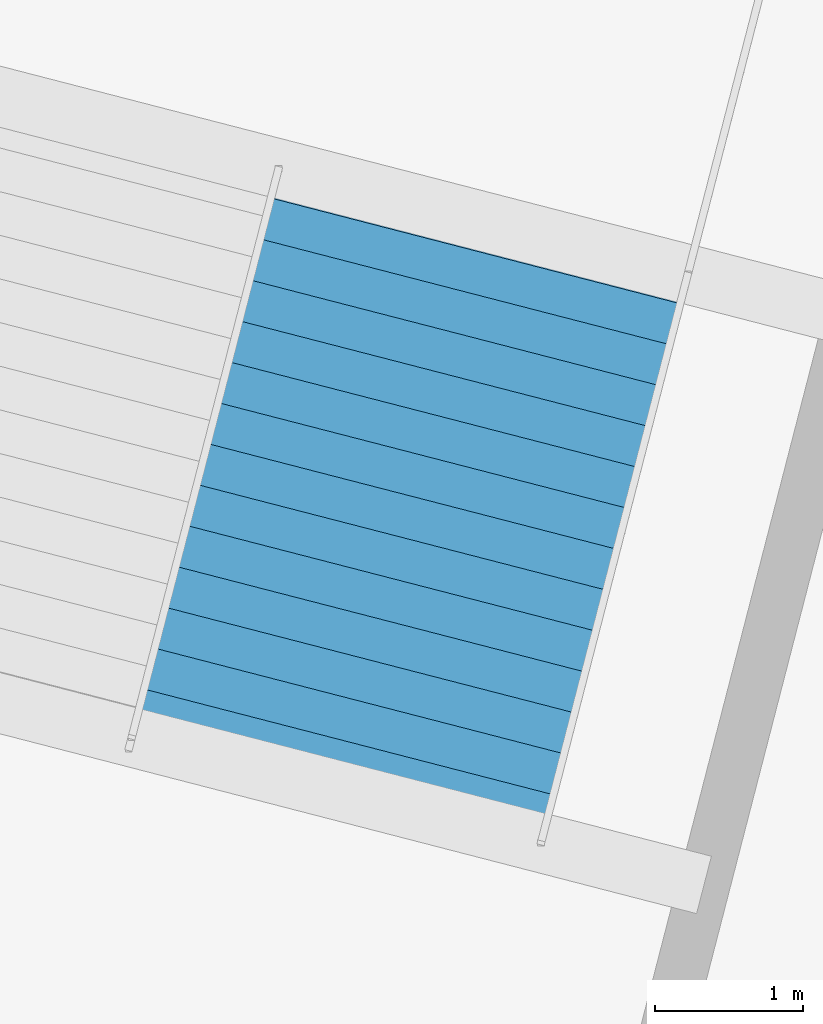
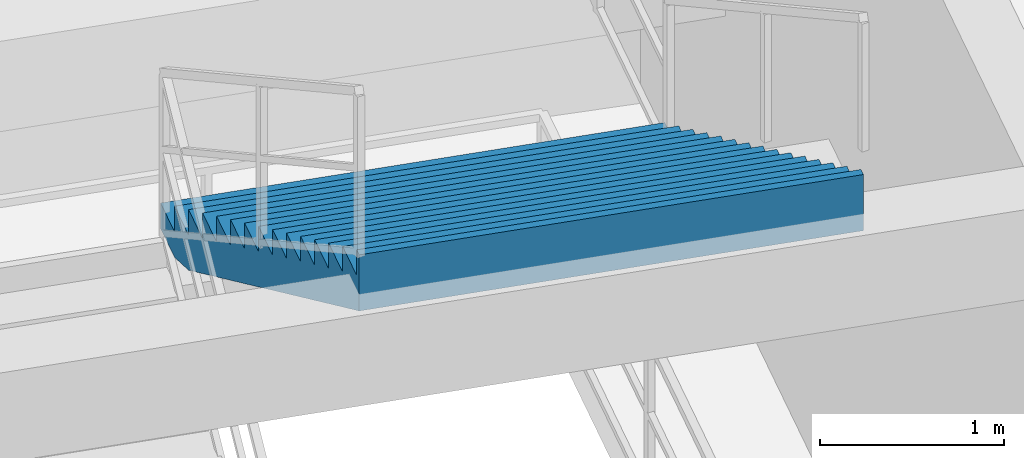
# One storey, part 164 of 184: 1 stair flight, 1 element without a shape of its own.
"""IFC4 building model written with IfcOpenShell, lengths in metres."""

from ifc_helpers import new_model, si_unit, direction, frame, origin, place, context, subcontext, project, spatial, polygons, material, type_object, element, aggregate, save


model = new_model("IFC4")

# Units and contexts
model_context = context("Model", 3, precision=1e-05, world=origin(), true_north=direction((0.0, 1.0)))
body_context = subcontext(model_context, "Body", "Model", "MODEL_VIEW")
ifc_project = project(units=[si_unit("LENGTHUNIT", "METRE"), si_unit("AREAUNIT", "SQUARE_METRE"), si_unit("VOLUMEUNIT", "CUBIC_METRE"), si_unit("PLANEANGLEUNIT", "RADIAN"), si_unit("MASSUNIT", "GRAM", prefix="KILO")], contexts=[model_context])

# Site, building, storey
site_placement = place(None, origin())
site = spatial("IfcSite", under=ifc_project, at=site_placement, CompositionType="ELEMENT")
building_placement = place(site_placement, origin())
building = spatial("IfcBuilding", under=site, at=building_placement, Name="Kazemori Nagisa Stadium", CompositionType="ELEMENT")
storey_placement = place(building_placement, frame((0.0, 0.0, 10.5400390625)))
storey = spatial("IfcBuildingStorey", under=building, at=storey_placement, Name="L02", CompositionType="ELEMENT", Elevation=10.5400390625)

# Stair, stair flight
ifc_material = material(Name="Concrete C36/45 (Fc36)", Category="concrete")
stair_type = type_object("IfcStairType", Name="Stair_CORE_30", PredefinedType="TWO_STRAIGHT_RUN_STAIR", material=ifc_material)
stair_placement = place(storey_placement, origin())
stair = element("IfcStair", 1, at=stair_placement, inside=storey, type_object=stair_type, Name="Exit stair ST10 L02", PredefinedType="TWO_STRAIGHT_RUN_STAIR")
stair_flight_type = type_object("IfcStairFlightType", Name="Flight_CORE_15", PredefinedType="STRAIGHT", material=ifc_material)
stair_flight_placement = place(storey_placement, frame((208.85791015625, 73.259521484375, 2.550048828125), z_axis=(0.0, 0.0, 1.0), x_axis=(-0.249957593895, -0.968256784771, 0.0)))
stair_flight = element("IfcStairFlight", 2, at=stair_flight_placement, type_object=stair_flight_type, Name="Exit stair ST10 L02 flight 2", NumberOfRisers=15, NumberOfTreads=14, PredefinedType="STRAIGHT", RiserHeight=0.17, TreadLength=0.285, context=body_context, shape_type="Tessellation", body=[
    polygons([(0.0, -1.425048828125, 0.0), (0.0, -1.425048828125, 0.169921875), (0.284912109375, -1.425048828125, 0.169921875), (0.284912109375, -1.425048828125, 0.340087890625), (0.570068359375, -1.425048828125, 0.340087890625), (0.570068359375, -1.425048828125, 0.510009765625), (0.85498046875, -1.425048828125, 0.510009765625), (0.85498046875, -1.425048828125, 0.679931640625), (1.139892578125, -1.425048828125, 0.679931640625), (1.139892578125, -1.425048828125, 0.85009765625), (1.425048828125, -1.425048828125, 0.85009765625), (1.425048828125, -1.425048828125, 1.02001953125), (1.7099609375, -1.425048828125, 1.02001953125), (1.7099609375, -1.425048828125, 1.18994140625), (1.9951171875, -1.425048828125, 1.18994140625), (1.9951171875, -1.425048828125, 1.360107421875), (2.280029296875, -1.425048828125, 1.360107421875), (2.280029296875, -1.425048828125, 1.530029296875), (2.56494140625, -1.425048828125, 1.530029296875), (2.56494140625, -1.425048828125, 1.699951171875), (2.85009765625, -1.425048828125, 1.699951171875), (2.85009765625, -1.425048828125, 1.8701171875), (3.135009765625, -1.425048828125, 1.8701171875), (3.135009765625, -1.425048828125, 2.0400390625), (3.419921875, -1.425048828125, 2.0400390625), (3.419921875, -1.425048828125, 2.2099609375), (3.705078125, -1.425048828125, 2.2099609375), (3.705078125, -1.425048828125, 2.3798828125), (3.989990234375, -1.425048828125, 2.3798828125), (3.989990234375, -1.425048828125, 2.550048828125), (4.0400390625, -1.425048828125, 2.550048828125), (4.0400390625, -1.425048828125, 2.177001953125), (3.989990234375, -1.425048828125, 2.147216796875), (3.705078125, -1.425048828125, 1.977294921875), (3.419921875, -1.425048828125, 1.80712890625), (3.135009765625, -1.425048828125, 1.63720703125), (2.85009765625, -1.425048828125, 1.46728515625), (2.56494140625, -1.425048828125, 1.297119140625), (2.280029296875, -1.425048828125, 1.127197265625), (1.9951171875, -1.425048828125, 0.957275390625), (1.7099609375, -1.425048828125, 0.787109375), (1.425048828125, -1.425048828125, 0.6171875), (1.139892578125, -1.425048828125, 0.447265625), (0.85498046875, -1.425048828125, 0.277099609375), (0.570068359375, -1.425048828125, 0.107177734375), (0.284912109375, -1.425048828125, 0.0), (0.0, -0.08544921875, 0.0), (0.0, -0.08544921875, 0.169921875), (0.284912109375, -0.08544921875, 0.169921875), (0.284912109375, -0.08544921875, 0.340087890625), (0.570068359375, -0.08544921875, 0.340087890625), (0.570068359375, -0.08544921875, 0.510009765625), (0.85498046875, -0.08544921875, 0.510009765625), (0.85498046875, -0.08544921875, 0.679931640625), (1.139892578125, -0.08544921875, 0.679931640625), (1.139892578125, -0.08544921875, 0.85009765625), (1.425048828125, -0.08544921875, 0.85009765625), (1.425048828125, -0.08544921875, 1.02001953125), (1.7099609375, -0.08544921875, 1.02001953125), (1.7099609375, -0.08544921875, 1.18994140625), (1.9951171875, -0.08544921875, 1.18994140625), (1.9951171875, -0.08544921875, 1.360107421875), (2.280029296875, -0.08544921875, 1.360107421875), (2.280029296875, -0.08544921875, 1.530029296875), (2.56494140625, -0.08544921875, 1.530029296875), (2.56494140625, -0.08544921875, 1.699951171875), (2.85009765625, -0.08544921875, 1.699951171875), (2.85009765625, -0.08544921875, 1.8701171875), (3.135009765625, -0.08544921875, 1.8701171875), (3.135009765625, -0.08544921875, 2.0400390625), (3.419921875, -0.08544921875, 2.0400390625), (3.419921875, -0.08544921875, 2.2099609375), (3.705078125, -0.08544921875, 2.2099609375), (3.705078125, -0.08544921875, 2.3798828125), (3.989990234375, -0.08544921875, 2.3798828125), (3.989990234375, -0.08544921875, 2.550048828125), (4.0400390625, -0.08544921875, 2.550048828125), (4.0400390625, -0.08544921875, 2.177001953125), (3.989990234375, -0.08544921875, 2.147216796875), (3.705078125, -0.08544921875, 1.977294921875), (3.419921875, -0.08544921875, 1.80712890625), (3.135009765625, -0.08544921875, 1.63720703125), (2.85009765625, -0.08544921875, 1.46728515625), (2.56494140625, -0.08544921875, 1.297119140625), (2.280029296875, -0.08544921875, 1.127197265625), (1.9951171875, -0.08544921875, 0.957275390625), (1.7099609375, -0.08544921875, 0.787109375), (1.425048828125, -0.08544921875, 0.6171875), (1.139892578125, -0.08544921875, 0.447265625), (0.85498046875, -0.08544921875, 0.277099609375), (0.570068359375, -0.08544921875, 0.107177734375), (0.284912109375, -0.08544921875, 0.0), (0.0, 0.0, 0.0), (0.0, 0.0, 0.169921875), (0.284912109375, 0.0, 0.169921875), (0.284912109375, 0.0, 0.340087890625), (0.570068359375, 0.0, 0.340087890625), (0.570068359375, 0.0, 0.510009765625), (0.85498046875, 0.0, 0.510009765625), (0.85498046875, 0.0, 0.679931640625), (1.139892578125, 0.0, 0.679931640625), (1.139892578125, 0.0, 0.85009765625), (1.425048828125, 0.0, 0.85009765625), (1.425048828125, 0.0, 1.02001953125), (1.7099609375, 0.0, 1.02001953125), (1.7099609375, 0.0, 1.18994140625), (1.9951171875, 0.0, 1.18994140625), (1.9951171875, 0.0, 1.360107421875), (2.280029296875, 0.0, 1.360107421875), (2.280029296875, 0.0, 1.530029296875), (2.56494140625, 0.0, 1.530029296875), (2.56494140625, 0.0, 1.699951171875), (2.85009765625, 0.0, 1.699951171875), (2.85009765625, 0.0, 1.8701171875), (3.135009765625, 0.0, 1.8701171875), (3.135009765625, 0.0, 2.0400390625), (3.419921875, 0.0, 2.0400390625), (3.419921875, 0.0, 2.2099609375), (3.705078125, 0.0, 2.2099609375), (3.705078125, 0.0, 2.3798828125), (3.989990234375, 0.0, 2.3798828125), (3.989990234375, 0.0, 2.550048828125), (4.0400390625, 0.0, 2.550048828125), (4.0400390625, 0.0, 2.177001953125), (3.989990234375, 0.0, 2.147216796875), (3.705078125, 0.0, 1.977294921875), (3.419921875, 0.0, 1.80712890625), (3.135009765625, 0.0, 1.63720703125), (2.85009765625, 0.0, 1.46728515625), (2.56494140625, 0.0, 1.297119140625), (2.280029296875, 0.0, 1.127197265625), (1.9951171875, 0.0, 0.957275390625), (1.7099609375, 0.0, 0.787109375), (1.425048828125, 0.0, 0.6171875), (1.139892578125, 0.0, 0.447265625), (0.85498046875, 0.0, 0.277099609375), (0.570068359375, 0.0, 0.107177734375), (0.284912109375, 0.0, 0.0), (0.0, 0.08544921875, 0.0), (0.0, 0.08544921875, 0.169921875), (0.284912109375, 0.08544921875, 0.169921875), (0.284912109375, 0.08544921875, 0.340087890625), (0.570068359375, 0.08544921875, 0.340087890625), (0.570068359375, 0.08544921875, 0.510009765625), (0.85498046875, 0.08544921875, 0.510009765625), (0.85498046875, 0.08544921875, 0.679931640625), (1.139892578125, 0.08544921875, 0.679931640625), (1.139892578125, 0.08544921875, 0.85009765625), (1.425048828125, 0.08544921875, 0.85009765625), (1.425048828125, 0.08544921875, 1.02001953125), (1.7099609375, 0.08544921875, 1.02001953125), (1.7099609375, 0.08544921875, 1.18994140625), (1.9951171875, 0.08544921875, 1.18994140625), (1.9951171875, 0.08544921875, 1.360107421875), (2.280029296875, 0.08544921875, 1.360107421875), (2.280029296875, 0.08544921875, 1.530029296875), (2.56494140625, 0.08544921875, 1.530029296875), (2.56494140625, 0.08544921875, 1.699951171875), (2.85009765625, 0.08544921875, 1.699951171875), (2.85009765625, 0.08544921875, 1.8701171875), (3.135009765625, 0.08544921875, 1.8701171875), (3.135009765625, 0.08544921875, 2.0400390625), (3.419921875, 0.08544921875, 2.0400390625), (3.419921875, 0.08544921875, 2.2099609375), (3.705078125, 0.08544921875, 2.2099609375), (3.705078125, 0.08544921875, 2.3798828125), (3.989990234375, 0.08544921875, 2.3798828125), (3.989990234375, 0.08544921875, 2.550048828125), (4.0400390625, 0.08544921875, 2.550048828125), (4.0400390625, 0.08544921875, 2.177001953125), (3.989990234375, 0.08544921875, 2.147216796875), (3.705078125, 0.08544921875, 1.977294921875), (3.419921875, 0.08544921875, 1.80712890625), (3.135009765625, 0.08544921875, 1.63720703125), (2.85009765625, 0.08544921875, 1.46728515625), (2.56494140625, 0.08544921875, 1.297119140625), (2.280029296875, 0.08544921875, 1.127197265625), (1.9951171875, 0.08544921875, 0.957275390625), (1.7099609375, 0.08544921875, 0.787109375), (1.425048828125, 0.08544921875, 0.6171875), (1.139892578125, 0.08544921875, 0.447265625), (0.85498046875, 0.08544921875, 0.277099609375), (0.570068359375, 0.08544921875, 0.107177734375), (0.284912109375, 0.08544921875, 0.0), (0.0, 1.425048828125, 0.0), (0.0, 1.425048828125, 0.169921875), (0.284912109375, 1.425048828125, 0.169921875), (0.284912109375, 1.425048828125, 0.340087890625), (0.570068359375, 1.425048828125, 0.340087890625), (0.570068359375, 1.425048828125, 0.510009765625), (0.85498046875, 1.425048828125, 0.510009765625), (0.85498046875, 1.425048828125, 0.679931640625), (1.139892578125, 1.425048828125, 0.679931640625), (1.139892578125, 1.425048828125, 0.85009765625), (1.425048828125, 1.425048828125, 0.85009765625), (1.425048828125, 1.425048828125, 1.02001953125), (1.7099609375, 1.425048828125, 1.02001953125), (1.7099609375, 1.425048828125, 1.18994140625), (1.9951171875, 1.425048828125, 1.18994140625), (1.9951171875, 1.425048828125, 1.360107421875), (2.280029296875, 1.425048828125, 1.360107421875), (2.280029296875, 1.425048828125, 1.530029296875), (2.56494140625, 1.425048828125, 1.530029296875), (2.56494140625, 1.425048828125, 1.699951171875), (2.85009765625, 1.425048828125, 1.699951171875), (2.85009765625, 1.425048828125, 1.8701171875), (3.135009765625, 1.425048828125, 1.8701171875), (3.135009765625, 1.425048828125, 2.0400390625), (3.419921875, 1.425048828125, 2.0400390625), (3.419921875, 1.425048828125, 2.2099609375), (3.705078125, 1.425048828125, 2.2099609375), (3.705078125, 1.425048828125, 2.3798828125), (3.989990234375, 1.425048828125, 2.3798828125), (3.989990234375, 1.425048828125, 2.550048828125), (4.0400390625, 1.425048828125, 2.550048828125), (4.0400390625, 1.425048828125, 2.177001953125), (3.989990234375, 1.425048828125, 2.147216796875), (3.705078125, 1.425048828125, 1.977294921875), (3.419921875, 1.425048828125, 1.80712890625), (3.135009765625, 1.425048828125, 1.63720703125), (2.85009765625, 1.425048828125, 1.46728515625), (2.56494140625, 1.425048828125, 1.297119140625), (2.280029296875, 1.425048828125, 1.127197265625), (1.9951171875, 1.425048828125, 0.957275390625), (1.7099609375, 1.425048828125, 0.787109375), (1.425048828125, 1.425048828125, 0.6171875), (1.139892578125, 1.425048828125, 0.447265625), (0.85498046875, 1.425048828125, 0.277099609375), (0.570068359375, 1.425048828125, 0.107177734375), (0.284912109375, 1.425048828125, 0.0)], [[[1, 2, 48]], [[1, 48, 47]], [[2, 3, 49]], [[2, 49, 48]], [[3, 4, 50]], [[3, 50, 49]], [[4, 5, 51]], [[4, 51, 50]], [[5, 6, 52]], [[5, 52, 51]], [[6, 7, 53]], [[6, 53, 52]], [[7, 8, 54]], [[7, 54, 53]], [[8, 9, 55]], [[8, 55, 54]], [[9, 10, 56]], [[9, 56, 55]], [[10, 11, 57]], [[10, 57, 56]], [[11, 12, 58]], [[11, 58, 57]], [[12, 13, 59]], [[12, 59, 58]], [[13, 14, 60]], [[13, 60, 59]], [[14, 15, 61]], [[14, 61, 60]], [[15, 16, 62]], [[15, 62, 61]], [[16, 17, 63]], [[16, 63, 62]], [[17, 18, 64]], [[17, 64, 63]], [[18, 19, 65]], [[18, 65, 64]], [[19, 20, 66]], [[19, 66, 65]], [[20, 21, 67]], [[20, 67, 66]], [[21, 22, 68]], [[21, 68, 67]], [[22, 23, 69]], [[22, 69, 68]], [[23, 24, 70]], [[23, 70, 69]], [[24, 25, 71]], [[24, 71, 70]], [[25, 26, 72]], [[25, 72, 71]], [[26, 27, 73]], [[26, 73, 72]], [[27, 28, 74]], [[27, 74, 73]], [[28, 29, 75]], [[28, 75, 74]], [[29, 30, 76]], [[29, 76, 75]], [[30, 31, 77]], [[30, 77, 76]], [[31, 32, 78]], [[31, 78, 77]], [[32, 33, 79]], [[32, 79, 78]], [[33, 34, 80]], [[33, 80, 79]], [[34, 35, 81]], [[34, 81, 80]], [[35, 36, 82]], [[35, 82, 81]], [[36, 37, 83]], [[36, 83, 82]], [[37, 38, 84]], [[37, 84, 83]], [[38, 39, 85]], [[38, 85, 84]], [[39, 40, 86]], [[39, 86, 85]], [[40, 41, 87]], [[40, 87, 86]], [[41, 42, 88]], [[41, 88, 87]], [[42, 43, 89]], [[42, 89, 88]], [[43, 44, 90]], [[43, 90, 89]], [[44, 45, 91]], [[44, 91, 90]], [[45, 46, 92]], [[45, 92, 91]], [[46, 1, 47]], [[46, 47, 92]], [[47, 48, 94]], [[47, 94, 93]], [[48, 49, 95]], [[48, 95, 94]], [[49, 50, 96]], [[49, 96, 95]], [[50, 51, 97]], [[50, 97, 96]], [[51, 52, 98]], [[51, 98, 97]], [[52, 53, 99]], [[52, 99, 98]], [[53, 54, 100]], [[53, 100, 99]], [[54, 55, 101]], [[54, 101, 100]], [[55, 56, 102]], [[55, 102, 101]], [[56, 57, 103]], [[56, 103, 102]], [[57, 58, 104]], [[57, 104, 103]], [[58, 59, 105]], [[58, 105, 104]], [[59, 60, 106]], [[59, 106, 105]], [[60, 61, 107]], [[60, 107, 106]], [[61, 62, 108]], [[61, 108, 107]], [[62, 63, 109]], [[62, 109, 108]], [[63, 64, 110]], [[63, 110, 109]], [[64, 65, 111]], [[64, 111, 110]], [[65, 66, 112]], [[65, 112, 111]], [[66, 67, 113]], [[66, 113, 112]], [[67, 68, 114]], [[67, 114, 113]], [[68, 69, 115]], [[68, 115, 114]], [[69, 70, 116]], [[69, 116, 115]], [[70, 71, 117]], [[70, 117, 116]], [[71, 72, 118]], [[71, 118, 117]], [[72, 73, 119]], [[72, 119, 118]], [[73, 74, 120]], [[73, 120, 119]], [[74, 75, 121]], [[74, 121, 120]], [[75, 76, 122]], [[75, 122, 121]], [[76, 77, 123]], [[76, 123, 122]], [[77, 78, 124]], [[77, 124, 123]], [[78, 79, 125]], [[78, 125, 124]], [[79, 80, 126]], [[79, 126, 125]], [[80, 81, 127]], [[80, 127, 126]], [[81, 82, 128]], [[81, 128, 127]], [[82, 83, 129]], [[82, 129, 128]], [[83, 84, 130]], [[83, 130, 129]], [[84, 85, 131]], [[84, 131, 130]], [[85, 86, 132]], [[85, 132, 131]], [[86, 87, 133]], [[86, 133, 132]], [[87, 88, 134]], [[87, 134, 133]], [[88, 89, 135]], [[88, 135, 134]], [[89, 90, 136]], [[89, 136, 135]], [[90, 91, 137]], [[90, 137, 136]], [[91, 92, 138]], [[91, 138, 137]], [[92, 47, 93]], [[92, 93, 138]], [[93, 94, 140]], [[93, 140, 139]], [[94, 95, 141]], [[94, 141, 140]], [[95, 96, 142]], [[95, 142, 141]], [[96, 97, 143]], [[96, 143, 142]], [[97, 98, 144]], [[97, 144, 143]], [[98, 99, 145]], [[98, 145, 144]], [[99, 100, 146]], [[99, 146, 145]], [[100, 101, 147]], [[100, 147, 146]], [[101, 102, 148]], [[101, 148, 147]], [[102, 103, 149]], [[102, 149, 148]], [[103, 104, 150]], [[103, 150, 149]], [[104, 105, 151]], [[104, 151, 150]], [[105, 106, 152]], [[105, 152, 151]], [[106, 107, 153]], [[106, 153, 152]], [[107, 108, 154]], [[107, 154, 153]], [[108, 109, 155]], [[108, 155, 154]], [[109, 110, 156]], [[109, 156, 155]], [[110, 111, 157]], [[110, 157, 156]], [[111, 112, 158]], [[111, 158, 157]], [[112, 113, 159]], [[112, 159, 158]], [[113, 114, 160]], [[113, 160, 159]], [[114, 115, 161]], [[114, 161, 160]], [[115, 116, 162]], [[115, 162, 161]], [[116, 117, 163]], [[116, 163, 162]], [[117, 118, 164]], [[117, 164, 163]], [[118, 119, 165]], [[118, 165, 164]], [[119, 120, 166]], [[119, 166, 165]], [[120, 121, 167]], [[120, 167, 166]], [[121, 122, 168]], [[121, 168, 167]], [[122, 123, 169]], [[122, 169, 168]], [[123, 124, 170]], [[123, 170, 169]], [[124, 125, 171]], [[124, 171, 170]], [[125, 126, 172]], [[125, 172, 171]], [[126, 127, 173]], [[126, 173, 172]], [[127, 128, 174]], [[127, 174, 173]], [[128, 129, 175]], [[128, 175, 174]], [[129, 130, 176]], [[129, 176, 175]], [[130, 131, 177]], [[130, 177, 176]], [[131, 132, 178]], [[131, 178, 177]], [[132, 133, 179]], [[132, 179, 178]], [[133, 134, 180]], [[133, 180, 179]], [[134, 135, 181]], [[134, 181, 180]], [[135, 136, 182]], [[135, 182, 181]], [[136, 137, 183]], [[136, 183, 182]], [[137, 138, 184]], [[137, 184, 183]], [[138, 93, 139]], [[138, 139, 184]], [[139, 140, 186]], [[139, 186, 185]], [[140, 141, 187]], [[140, 187, 186]], [[141, 142, 188]], [[141, 188, 187]], [[142, 143, 189]], [[142, 189, 188]], [[143, 144, 190]], [[143, 190, 189]], [[144, 145, 191]], [[144, 191, 190]], [[145, 146, 192]], [[145, 192, 191]], [[146, 147, 193]], [[146, 193, 192]], [[147, 148, 194]], [[147, 194, 193]], [[148, 149, 195]], [[148, 195, 194]], [[149, 150, 196]], [[149, 196, 195]], [[150, 151, 197]], [[150, 197, 196]], [[151, 152, 198]], [[151, 198, 197]], [[152, 153, 199]], [[152, 199, 198]], [[153, 154, 200]], [[153, 200, 199]], [[154, 155, 201]], [[154, 201, 200]], [[155, 156, 202]], [[155, 202, 201]], [[156, 157, 203]], [[156, 203, 202]], [[157, 158, 204]], [[157, 204, 203]], [[158, 159, 205]], [[158, 205, 204]], [[159, 160, 206]], [[159, 206, 205]], [[160, 161, 207]], [[160, 207, 206]], [[161, 162, 208]], [[161, 208, 207]], [[162, 163, 209]], [[162, 209, 208]], [[163, 164, 210]], [[163, 210, 209]], [[164, 165, 211]], [[164, 211, 210]], [[165, 166, 212]], [[165, 212, 211]], [[166, 167, 213]], [[166, 213, 212]], [[167, 168, 214]], [[167, 214, 213]], [[168, 169, 215]], [[168, 215, 214]], [[169, 170, 216]], [[169, 216, 215]], [[170, 171, 217]], [[170, 217, 216]], [[171, 172, 218]], [[171, 218, 217]], [[172, 173, 219]], [[172, 219, 218]], [[173, 174, 220]], [[173, 220, 219]], [[174, 175, 221]], [[174, 221, 220]], [[175, 176, 222]], [[175, 222, 221]], [[176, 177, 223]], [[176, 223, 222]], [[177, 178, 224]], [[177, 224, 223]], [[178, 179, 225]], [[178, 225, 224]], [[179, 180, 226]], [[179, 226, 225]], [[180, 181, 227]], [[180, 227, 226]], [[181, 182, 228]], [[181, 228, 227]], [[182, 183, 229]], [[182, 229, 228]], [[183, 184, 230]], [[183, 230, 229]], [[184, 139, 185]], [[184, 185, 230]], [[3, 2, 1]], [[185, 186, 187]], [[46, 3, 1]], [[185, 187, 230]], [[45, 3, 46]], [[230, 187, 229]], [[5, 3, 45]], [[229, 187, 189]], [[5, 4, 3]], [[187, 188, 189]], [[44, 5, 45]], [[229, 189, 228]], [[7, 5, 44]], [[228, 189, 191]], [[7, 6, 5]], [[189, 190, 191]], [[43, 7, 44]], [[228, 191, 227]], [[9, 7, 43]], [[227, 191, 193]], [[9, 8, 7]], [[191, 192, 193]], [[42, 9, 43]], [[227, 193, 226]], [[11, 9, 42]], [[226, 193, 195]], [[11, 10, 9]], [[193, 194, 195]], [[41, 11, 42]], [[226, 195, 225]], [[13, 11, 41]], [[225, 195, 197]], [[13, 12, 11]], [[195, 196, 197]], [[40, 13, 41]], [[225, 197, 224]], [[15, 13, 40]], [[224, 197, 199]], [[15, 14, 13]], [[197, 198, 199]], [[39, 15, 40]], [[224, 199, 223]], [[17, 15, 39]], [[223, 199, 201]], [[17, 16, 15]], [[199, 200, 201]], [[38, 17, 39]], [[223, 201, 222]], [[19, 17, 38]], [[222, 201, 203]], [[19, 18, 17]], [[201, 202, 203]], [[37, 19, 38]], [[222, 203, 221]], [[21, 19, 37]], [[221, 203, 205]], [[21, 20, 19]], [[203, 204, 205]], [[36, 21, 37]], [[221, 205, 220]], [[23, 21, 36]], [[220, 205, 207]], [[23, 22, 21]], [[205, 206, 207]], [[35, 23, 36]], [[220, 207, 219]], [[25, 23, 35]], [[219, 207, 209]], [[25, 24, 23]], [[207, 208, 209]], [[34, 25, 35]], [[219, 209, 218]], [[27, 25, 34]], [[218, 209, 211]], [[27, 26, 25]], [[209, 210, 211]], [[33, 27, 34]], [[218, 211, 217]], [[29, 27, 33]], [[217, 211, 213]], [[29, 28, 27]], [[211, 212, 213]], [[32, 29, 33]], [[217, 213, 216]], [[31, 29, 32]], [[216, 213, 215]], [[31, 30, 29]], [[213, 214, 215]]], closed=True),
])
aggregate(stair, [stair_flight])

save(model, "model.ifc")
